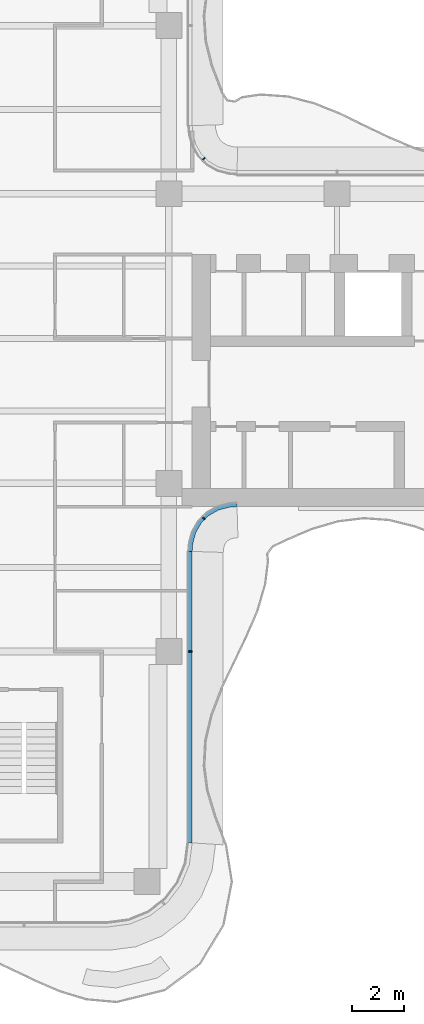
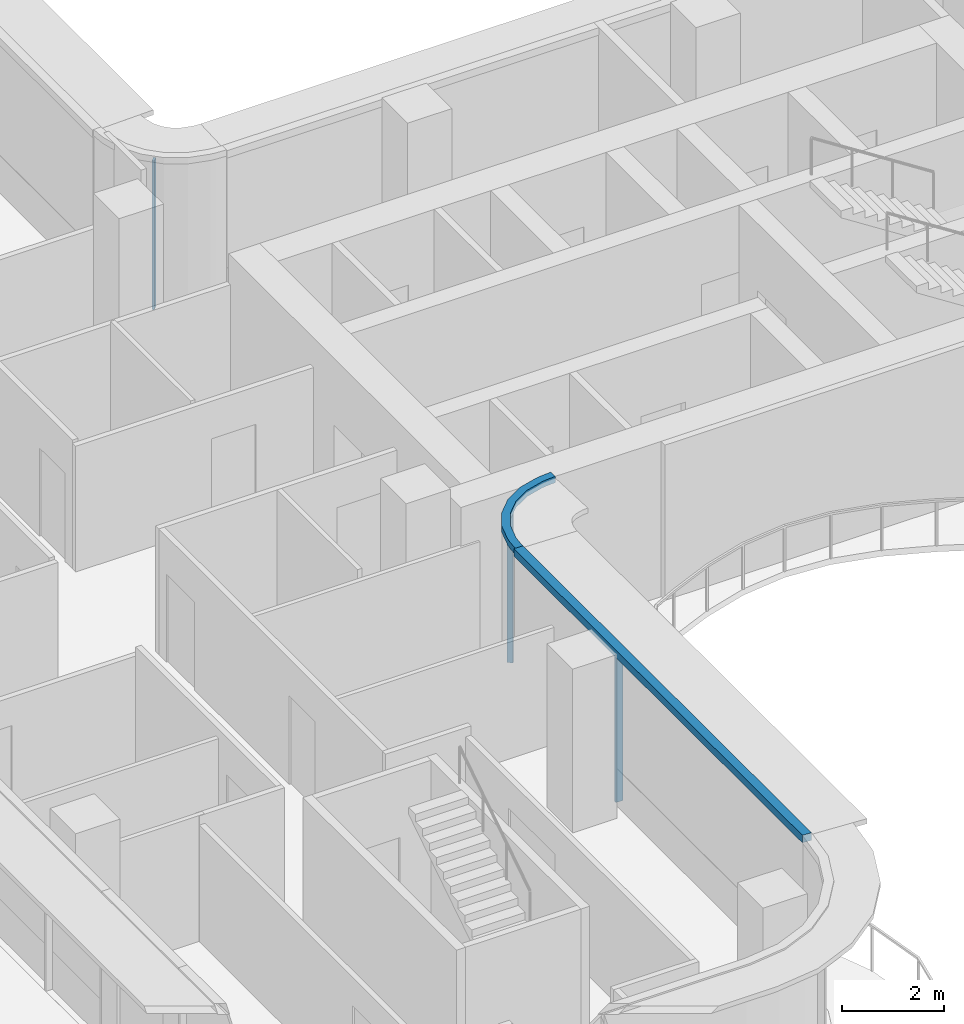
# One storey, part 5 of 16: 5 members, 3 elements without a shape of their own.
"""IFC4 building model written with IfcOpenShell, lengths in metres."""

from ifc_helpers import new_model, si_unit, direction, frame, origin, origin_2d, place, context, subcontext, project, spatial, polyline, rectangle, outline, extrude, source, transform, mapped, material, layer, layer_set, material_profile, profile_set, type_object, element, aggregate, save


model = new_model("IFC4")

# Units and contexts
model_context = context("Model", 3, precision=1e-05, world=origin(), true_north=direction((0.0, 1.0)))
body_context = subcontext(model_context, "Body", "Model", "MODEL_VIEW")
ifc_project = project(units=[si_unit("LENGTHUNIT", "METRE"), si_unit("AREAUNIT", "SQUARE_METRE"), si_unit("VOLUMEUNIT", "CUBIC_METRE"), si_unit("PLANEANGLEUNIT", "RADIAN"), si_unit("MASSUNIT", "GRAM", prefix="KILO")], contexts=[model_context])

# Site, building, storey
site_placement = place(None, origin())
site = spatial("IfcSite", under=ifc_project, at=site_placement, CompositionType="ELEMENT")
building_placement = place(site_placement, origin())
building = spatial("IfcBuilding", under=site, at=building_placement, Name="Trellis Farm Tower", CompositionType="ELEMENT")
storey_placement = place(building_placement, frame((0.0, 0.0, 306.699951171875)))
storey = spatial("IfcBuildingStorey", under=building, at=storey_placement, Name="L69", CompositionType="ELEMENT", Elevation=306.699951171875)

# Curtain wall, member
ifc_material_1 = material(Name="Aluminium and glass curtain wall", Category="aluminium")
ifc_layer_1 = layer(ifc_material_1, 0.166015625)
ifc_layer_set_1 = layer_set([ifc_layer_1], Name="WINTER GARDEN CURTAIN WALL CW3")
curtain_wall_type_1 = type_object("IfcCurtainWallType", Name="WINTER GARDEN CURTAIN WALL CW3", PredefinedType="NOTDEFINED", material=ifc_layer_set_1)
placement = place(storey_placement, origin())
curtain_wall_1 = element("IfcCurtainWall", 1, at=placement, inside=storey, type_object=curtain_wall_type_1, Name="CW3 002", PredefinedType="NOTDEFINED")
ifc_material_2 = material(Name="Aluminium extrusion 6063-T6", Category="aluminium")
ifc_layer_2 = layer(ifc_material_2, 0.169921875)
ifc_layer_set_2 = layer_set([ifc_layer_2], Name="Aluminium extrusion 6063-T6")
member_type_1 = type_object("IfcMemberType", Name="CW3 TRANSOM 170x150", PredefinedType="USERDEFINED", material=ifc_layer_set_2)
shared_shape_1 = source(origin(), body_context, "Body", "SweptSolid", [
    extrude(outline(polyline([(6.5, -8.2314453125), (6.513916015625, -8.01953125), (6.527587890625, -7.91552734375), (6.63671875, -7.508544921875), (6.846923828125, -7.144287109375), (7.144287109375, -6.846923828125), (7.508544921875, -6.63671875), (7.91552734375, -6.527587890625), (8.01953125, -6.513916015625), (8.2314453125, -6.5), (8.225830078125, -6.330078125), (8.0029296875, -6.3447265625), (7.88232421875, -6.360595703125), (7.44287109375, -6.478271484375), (7.0400390625, -6.7109375), (6.7109375, -7.0400390625), (6.478271484375, -7.44287109375), (6.360595703125, -7.88232421875), (6.3447265625, -8.0029296875), (6.330078125, -8.225830078125), (6.5, -8.2314453125)])), origin(), (0.0, 0.0, 1.0), 0.14990234375),
])
member_1_placement = place(storey_placement, frame((0.0, 0.0, 3.550048828125)))
member_1 = element("IfcMember", 2, at=member_1_placement, type_object=member_type_1, Name="TR3 002", ObjectType="TRANSOM", PredefinedType="USERDEFINED", context=body_context, shape_type="MappedRepresentation", body=[
    mapped(shared_shape_1, transform((0.0, 0.0, 0.0))),
])

ifc_layer_3 = layer(ifc_material_1, 0.18994140625)
ifc_layer_set_3 = layer_set([ifc_layer_3], Name="RIBBON CURTAIN WALL CW1")
curtain_wall_type_2 = type_object("IfcCurtainWallType", Name="RIBBON CURTAIN WALL CW1", PredefinedType="NOTDEFINED", material=ifc_layer_set_3)
curtain_wall_2 = element("IfcCurtainWall", 3, at=placement, inside=storey, type_object=curtain_wall_type_2, Name="CW1 005", PredefinedType="NOTDEFINED")
ifc_material_profile_1 = material_profile(ifc_material_2, rectangle(XDim=0.06005859375, YDim=0.14990234375, at=origin_2d()), Name="MULLION 60x150")
ifc_profile_set_1 = profile_set([ifc_material_profile_1], Name="Aluminium extrusion 6063-T6")
member_type_2 = type_object("IfcMemberType", Name="CW1 MULLION 60x150", PredefinedType="MULLION", material=ifc_profile_set_1)
shared_shape_2 = source(origin(), body_context, "Body", "SweptSolid", [
    extrude(rectangle(XDim=0.06005859375, YDim=0.14990234375, at=origin_2d()), origin(), (0.0, 0.0, 1.0), 3.52001953125),
])
member_2_placement = place(storey_placement, frame((6.425048828125, -12.10009765625, 0.0), z_axis=(0.0, 0.0, 1.0), x_axis=(0.0, 1.0, 0.0)))
member_2 = element("IfcMember", 4, at=member_2_placement, type_object=member_type_2, Name="MU1 005-01", PredefinedType="MULLION", context=body_context, shape_type="MappedRepresentation", body=[
    mapped(shared_shape_2, transform((0.0, 0.0, 0.0))),
])

# Member
ifc_material_profile_2 = material_profile(ifc_material_2, rectangle(XDim=0.050048828125, YDim=0.1201171875, at=origin_2d()), Name="MULLION 50x120")
ifc_profile_set_2 = profile_set([ifc_material_profile_2], Name="Aluminium extrusion 6063-T6")
member_type_3 = type_object("IfcMemberType", Name="CW3 MULLION 50x120", PredefinedType="MULLION", material=ifc_profile_set_2)
shared_shape_3 = source(origin(), body_context, "Body", "SweptSolid", [
    extrude(rectangle(XDim=0.050048828125, YDim=0.1201171875, at=origin_2d()), origin(), (0.0, 0.0, 1.0), 3.550048828125),
])
member_3_placement = place(storey_placement, frame((6.953125, -6.953125, 0.0), z_axis=(0.0, 0.0, 1.0), x_axis=(0.707106781187, 0.707106781187, 0.0)))
member_3 = element("IfcMember", 5, at=member_3_placement, type_object=member_type_3, Name="MU3 002-01", PredefinedType="MULLION", context=body_context, shape_type="MappedRepresentation", body=[
    mapped(shared_shape_3, transform((0.0, 0.0, 0.0))),
])

aggregate(curtain_wall_1, [member_3, member_1])

# Curtain wall, member
curtain_wall_3 = element("IfcCurtainWall", 6, at=placement, inside=storey, type_object=curtain_wall_type_1, Name="CW3 003", PredefinedType="NOTDEFINED")
member_4_placement = place(storey_placement, frame((6.953125, 6.953125, 0.0), z_axis=(0.0, 0.0, 1.0), x_axis=(-0.707106781187, 0.707106781187, 0.0)))
member_4 = element("IfcMember", 7, at=member_4_placement, type_object=member_type_3, Name="MU3 003-01", PredefinedType="MULLION", context=body_context, shape_type="MappedRepresentation", body=[
    mapped(shared_shape_3, transform((0.0, 0.0, 0.0))),
])
aggregate(curtain_wall_3, [member_4])

# Member
ifc_layer_4 = layer(ifc_material_2, 0.199951171875)
ifc_layer_set_4 = layer_set([ifc_layer_4], Name="Aluminium extrusion 6063-T6")
member_type_4 = type_object("IfcMemberType", Name="CW1 TRANSOM 200x180", PredefinedType="USERDEFINED", material=ifc_layer_set_4)
shared_shape_4 = source(origin(), body_context, "Body", "SweptSolid", [
    extrude(outline(polyline([(6.5, -19.5), (6.5, -8.2314453125), (6.300048828125, -8.224853515625), (6.300048828125, -19.48681640625), (6.5, -19.5)])), origin(), (0.0, 0.0, 1.0), 0.179931640625),
])
member_5_placement = place(storey_placement, frame((0.0, 0.0, 3.52001953125)))
member_5 = element("IfcMember", 8, at=member_5_placement, type_object=member_type_4, Name="TR1 005", ObjectType="TRANSOM", PredefinedType="USERDEFINED", context=body_context, shape_type="MappedRepresentation", body=[
    mapped(shared_shape_4, transform((0.0, 0.0, 0.0))),
])

aggregate(curtain_wall_2, [member_2, member_5])

save(model, "model.ifc")
